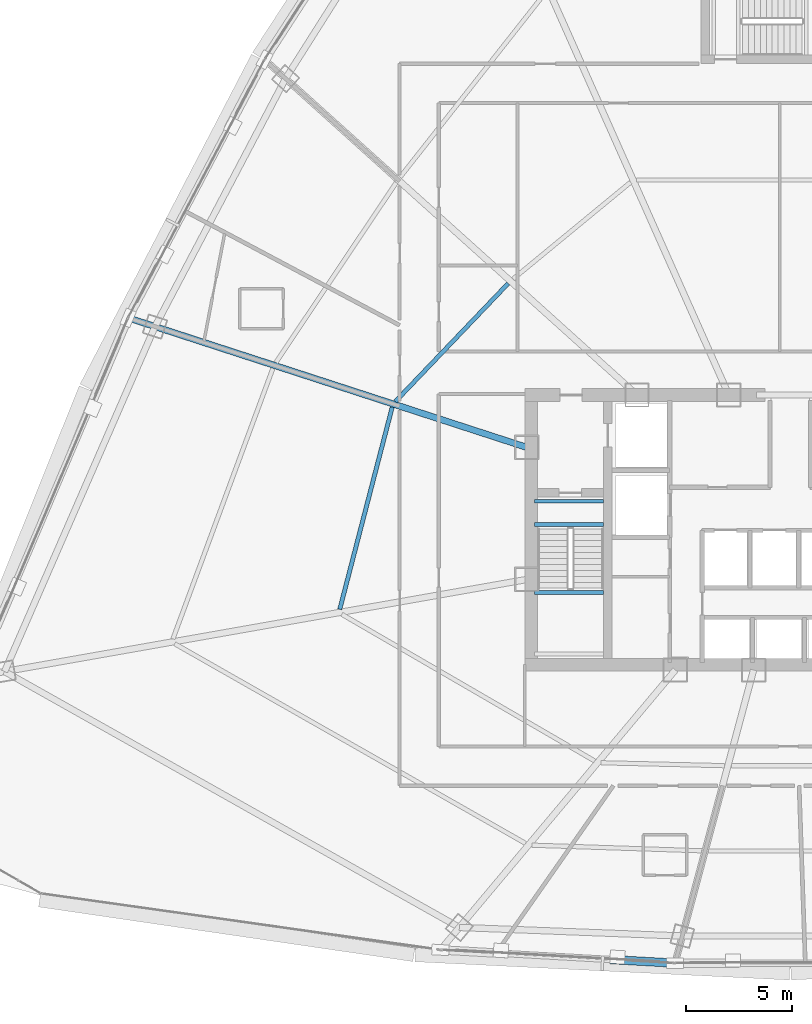
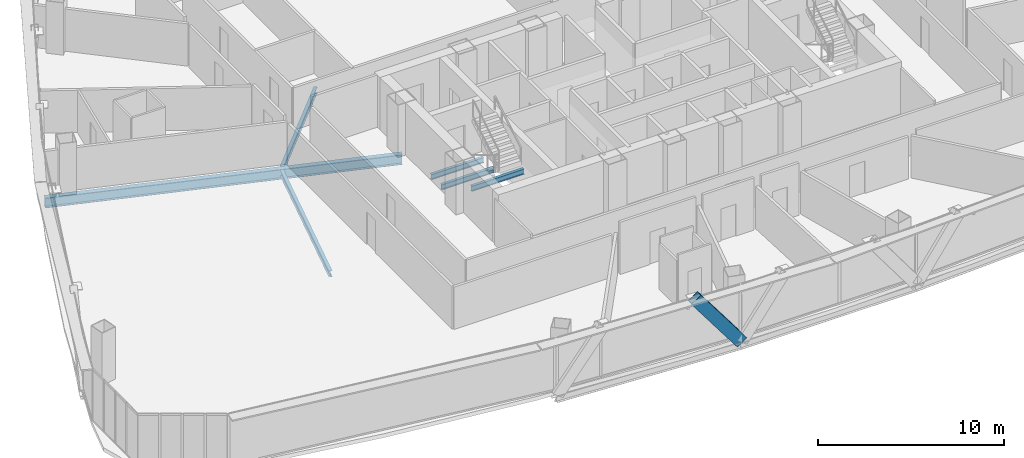
# One storey, part 9 of 40: 6 beams, 1 member.
"""IFC4 building model written with IfcOpenShell, lengths in metres."""

from ifc_helpers import new_model, si_unit, direction, frame, origin, origin_2d, place, context, subcontext, project, spatial, hollow_rectangle, i_section, extrude, source, transform, mapped, material, material_profile, profile_set, type_object, element, save


model = new_model("IFC4")

# Units and contexts
model_context = context("Model", 3, precision=1e-05, world=origin(), true_north=direction((0.0, 1.0)))
body_context = subcontext(model_context, "Body", "Model", "MODEL_VIEW")
ifc_project = project(units=[si_unit("LENGTHUNIT", "METRE"), si_unit("AREAUNIT", "SQUARE_METRE"), si_unit("VOLUMEUNIT", "CUBIC_METRE"), si_unit("PLANEANGLEUNIT", "RADIAN"), si_unit("MASSUNIT", "GRAM", prefix="KILO"), si_unit("THERMODYNAMICTEMPERATUREUNIT", "KELVIN"), si_unit("POWERUNIT", "WATT")], contexts=[model_context])

# Site, building, storey
site_placement = place(None, origin())
site = spatial("IfcSite", under=ifc_project, at=site_placement, CompositionType="ELEMENT")
building_placement = place(site_placement, origin())
building = spatial("IfcBuilding", under=site, at=building_placement, Name="Yunzhuo Pagoda Commons", CompositionType="ELEMENT")
storey_placement = place(building_placement, frame((0.0, 0.0, 159.27001953125)))
storey = spatial("IfcBuildingStorey", under=building, at=storey_placement, Name="L40", CompositionType="ELEMENT", Elevation=159.27001953125)

# Beams
ifc_material = material(Name="Structural steel Q355B", Category="steel")
ifc_material_profile_1 = material_profile(ifc_material, i_section(OverallWidth=0.175048828125, OverallDepth=0.35009765625, WebThickness=0.007080078125, FlangeThickness=0.010986328125, at=origin_2d()), Name="Structural steel Q355B")
ifc_profile_set_1 = profile_set([ifc_material_profile_1], Name="Structural steel Q355B")
beam_type_1 = type_object("IfcBeamType", Name="B-JS2 Joist HN 350x175x7x11", PredefinedType="JOIST", material=ifc_profile_set_1)
shared_shape_1 = source(origin(), body_context, "Body", "SweptSolid", [
    extrude(i_section(OverallWidth=0.175048828125, OverallDepth=0.35009765625, WebThickness=0.007080078125, FlangeThickness=0.010986328125, at=origin_2d()), origin(), (0.0, 0.0, 1.0), 3.25),
])
for number, where, z_axis, x_axis, name in (
    (1, (35.949951171875, 30.89990234375, 1.465087890625), (1.0, 0.0, 0.0), (0.0, 1.0, 0.0), "L40 ST1 landing support beam 46B"),
    (2, (35.949951171875, 34.10009765625, -0.374755859375), (1.0, 0.0, 0.0), (0.0, 1.0, 0.0), "L40 ST1 landing support beam 144A"),
    (3, (35.949951171875, 35.199951171875, -0.374755859375), (1.0, 0.0, 0.0), (0.0, 1.0, 0.0), "L40 ST1 landing support beam 144B"),
):
    element("IfcBeam", number, at=place(storey_placement, frame(where, z_axis=z_axis, x_axis=x_axis)), inside=storey, type_object=beam_type_1, Name=name, PredefinedType="JOIST", context=body_context, shape_type="MappedRepresentation", body=[
        mapped(shared_shape_1, transform((0.0, 0.0, 0.0), scale=1.0)),
    ])
ifc_material_profile_2 = material_profile(ifc_material, i_section(OverallWidth=0.199951171875, OverallDepth=0.39990234375, WebThickness=0.008056640625, FlangeThickness=0.012939453125, at=origin_2d()), Name="Structural steel Q355B")
ifc_profile_set_2 = profile_set([ifc_material_profile_2], Name="Structural steel Q355B")
beam_type_2 = type_object("IfcBeamType", Name="B-JS1 Joist HN 400x200x8x13", PredefinedType="JOIST", material=ifc_profile_set_2)
shared_shape_2 = source(origin(), body_context, "Body", "SweptSolid", [
    extrude(i_section(OverallWidth=0.199951171875, OverallDepth=0.39990234375, WebThickness=0.008056640625, FlangeThickness=0.012939453125, at=origin_2d()), origin(), (0.0, 0.0, 1.0), 9.8330078125),
])
beam_1_placement = place(storey_placement, frame((29.254638671875, 39.623779296875, -0.4599609375), z_axis=(-0.251166367041, -0.967943932295, 0.0), x_axis=(0.967943932295, -0.251166367041, 0.0)))
element("IfcBeam", 4, at=beam_1_placement, inside=storey, type_object=beam_type_2, Name="L40 composite ring joist 1.11", PredefinedType="JOIST", context=body_context, shape_type="MappedRepresentation", body=[
    mapped(shared_shape_2, transform((0.0, 0.0, 0.0), scale=1.0)),
])
shared_shape_3 = source(origin(), body_context, "Body", "SweptSolid", [
    extrude(i_section(OverallWidth=0.199951171875, OverallDepth=0.39990234375, WebThickness=0.008056640625, FlangeThickness=0.012939453125, at=origin_2d()), origin(), (0.0, 0.0, 1.0), 7.685546875),
])
beam_2_placement = place(storey_placement, frame((34.714111328125, 45.448974609375, -0.4599609375), z_axis=(-0.690882862648, -0.722966714378, 0.0), x_axis=(0.722966714378, -0.690882862648, 0.0)))
element("IfcBeam", 5, at=beam_2_placement, inside=storey, type_object=beam_type_2, Name="L40 composite ring joist 1.10", PredefinedType="JOIST", context=body_context, shape_type="MappedRepresentation", body=[
    mapped(shared_shape_3, transform((0.0, 0.0, 0.0), scale=1.0)),
])
ifc_material_profile_3 = material_profile(ifc_material, i_section(OverallWidth=0.300048828125, OverallDepth=0.64990234375, WebThickness=0.012939453125, FlangeThickness=0.02197265625, at=origin_2d()), Name="Structural steel Q355B")
ifc_profile_set_3 = profile_set([ifc_material_profile_3], Name="Structural steel Q355B")
beam_type_3 = type_object("IfcBeamType", Name="B-RG2 Beam HN 650x300x13x22", PredefinedType="BEAM", material=ifc_profile_set_3)
shared_shape_4 = source(origin(), body_context, "Body", "SweptSolid", [
    extrude(i_section(OverallWidth=0.300048828125, OverallDepth=0.64990234375, WebThickness=0.012939453125, FlangeThickness=0.02197265625, at=origin_2d()), origin(), (0.0, 0.0, 1.0), 19.594482421875),
])
beam_3_placement = place(storey_placement, frame((16.964599609375, 43.7841796875, -0.5849609375), z_axis=(0.951054485202, -0.309023245365, 0.0), x_axis=(0.309023245365, 0.951054485202, 0.0)))
element("IfcBeam", 6, at=beam_3_placement, inside=storey, type_object=beam_type_3, Name="L40 radial floor girder F3C3", PredefinedType="BEAM", context=body_context, shape_type="MappedRepresentation", body=[
    mapped(shared_shape_4, transform((0.0, 0.0, 0.0), scale=1.0)),
])

# Member
ifc_material_profile_4 = material_profile(ifc_material, hollow_rectangle(XDim=0.39990234375, YDim=0.719970703125, WallThickness=0.02392578125, at=origin_2d()), Name="Structural steel Q355B")
ifc_profile_set_4 = profile_set([ifc_material_profile_4], Name="Structural steel Q355B")
member_type = type_object("IfcMemberType", Name="M-DL2 Brace BOX 720x400x24", PredefinedType="BRACE", material=ifc_profile_set_4)
shared_shape_5 = source(origin(), body_context, "Body", "SweptSolid", [
    extrude(hollow_rectangle(XDim=0.39990234375, YDim=0.719970703125, WallThickness=0.02392578125, at=origin_2d()), origin(), (0.0, 0.0, 1.0), 4.603515625),
])
member_placement = place(storey_placement, frame((42.572509765625, 13.44384765625, -0.260009765625), z_axis=(-0.59986640331, 0.03394169376, 0.799379921942), x_axis=(-0.056491730434, -0.998403067099, 0.0)))
element("IfcMember", 7, at=member_placement, inside=storey, type_object=member_type, Name="L40 facade diamond brace F1.1R", PredefinedType="BRACE", context=body_context, shape_type="MappedRepresentation", body=[
    mapped(shared_shape_5, transform((0.0, 0.0, 0.0), scale=1.0)),
])

save(model, "model.ifc")
